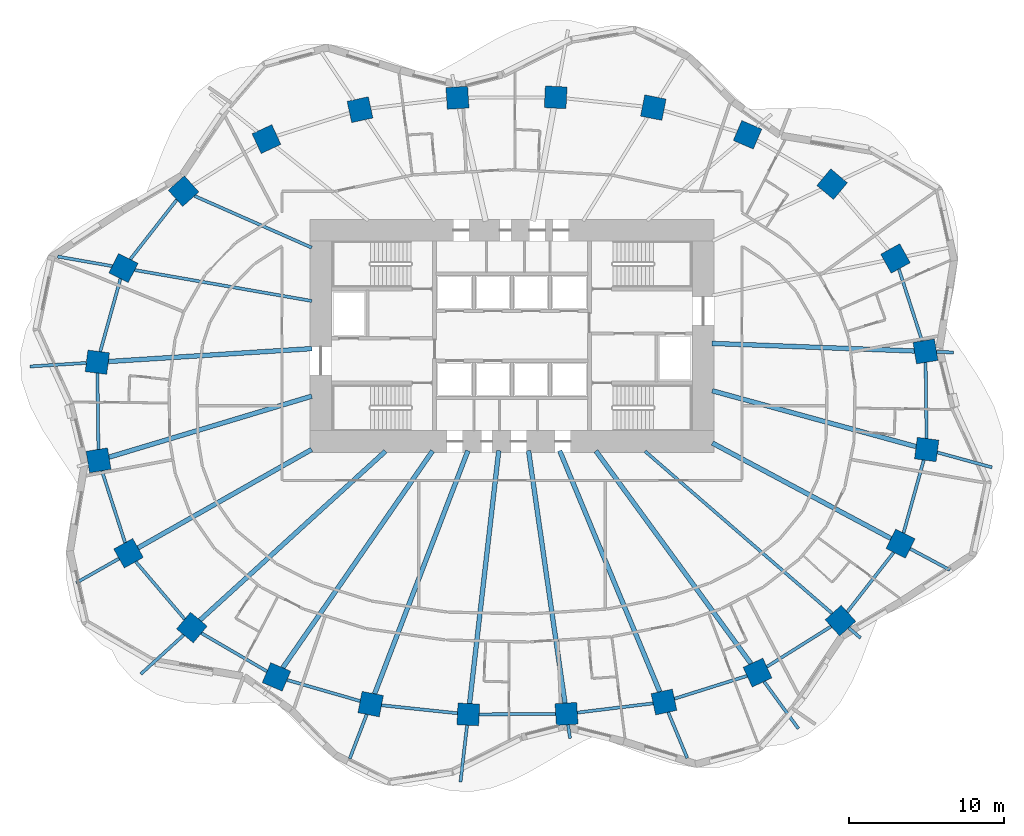
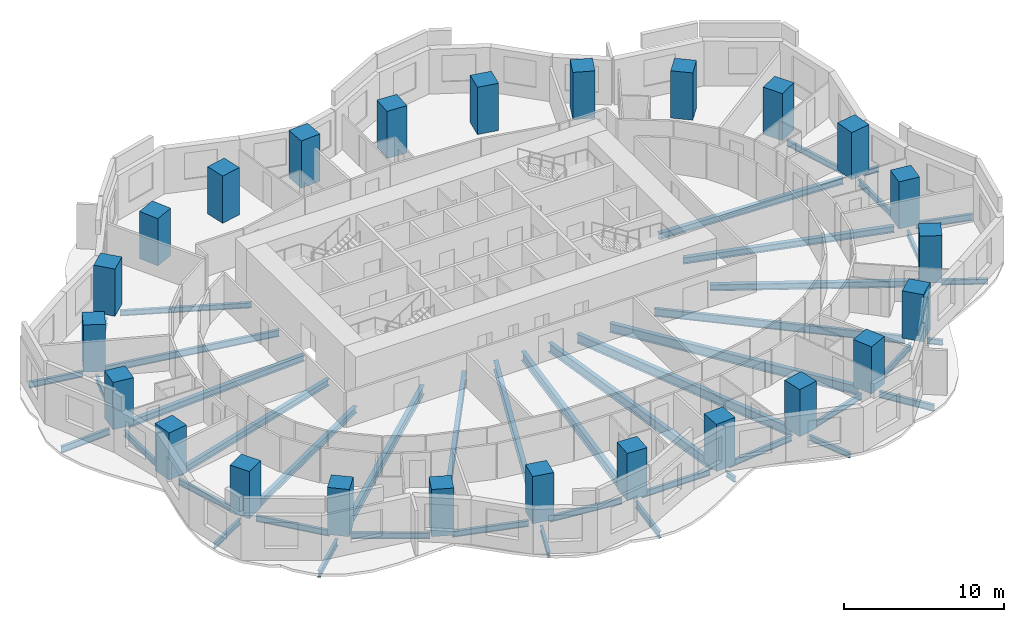
# One storey, part 1 of 11: 45 beams, 24 columns.
"""IFC4 building model written with IfcOpenShell, lengths in metres."""

import ifcopenshell
import ifcopenshell.guid

model = None  # the IFC model being written
_history = None  # IfcOwnerHistory: only IFC2X3 demands one
_inside = {}  # id of a spatial element -> (the spatial element, [elements in it])
_under = {}  # id of a project, library or spatial element -> (it, [spatial elements below it])
_declared = {}  # id of a project -> (the project, [libraries it declares])
_typed = {}  # id of a type object -> (the type object, [elements of that type])
_made_of = {}  # id of a material, layer set ... -> (it, [elements and type objects made of it])


def new_model(schema):
    """Start an empty IFC model of exactly this schema.

    Asked for "IFC4X3", IfcOpenShell would pick the latest addendum, in which some entities
    have other attributes; the version numbers below select the first issue.
    IFC2X3 requires an IfcOwnerHistory on every rooted entity: one is made here for all.
    """
    global model, _history
    if schema == "IFC4X3":
        model = ifcopenshell.file(schema_version=(4, 3, 0, 0))
    else:
        model = ifcopenshell.file(schema=schema)
    _inside.clear()
    _under.clear()
    _declared.clear()
    _typed.clear()
    _made_of.clear()
    _history = None
    if model.schema == "IFC2X3":
        org = make("IfcOrganization", Name="unknown")
        user = make(
            "IfcPersonAndOrganization",
            ThePerson=make("IfcPerson", FamilyName="unknown"),
            TheOrganization=org,
        )
        app = make(
            "IfcApplication",
            ApplicationDeveloper=org,
            Version="unknown",
            ApplicationFullName="unknown",
            ApplicationIdentifier="unknown",
        )
        _history = make(
            "IfcOwnerHistory",
            OwningUser=user,
            OwningApplication=app,
            ChangeAction="ADDED",
            CreationDate=0,
        )
    return model


def make(cls, **values):
    """One entity of the class cls with the attributes given. An attribute that is None is left unset."""
    return model.create_entity(
        cls, **{name: value for name, value in values.items() if value is not None}
    )


def rooted(cls, **values):
    """An entity with a GlobalId (a new one), such as an element, a storey or a relation."""
    return make(cls, GlobalId=ifcopenshell.guid.new(), OwnerHistory=_history, **values)


def si_unit(unit_type, name, prefix=None):
    """IfcSIUnit, for example si_unit("LENGTHUNIT", "METRE", prefix="MILLI")."""
    return make("IfcSIUnit", UnitType=unit_type, Prefix=prefix, Name=name)


def assignment(units):
    """IfcUnitAssignment: the units of a project."""
    return None if units is None else make("IfcUnitAssignment", Units=units)


def point(xyz):
    """IfcCartesianPoint."""
    return None if xyz is None else make("IfcCartesianPoint", Coordinates=xyz)


def direction(xyz):
    """IfcDirection."""
    return None if xyz is None else make("IfcDirection", DirectionRatios=xyz)


def frame(location, z_axis=None, x_axis=None):
    """IfcAxis2Placement3D, a coordinate frame: its origin and axes. An axis left out is left unset."""
    return make(
        "IfcAxis2Placement3D",
        Location=point(location),
        Axis=direction(z_axis),
        RefDirection=direction(x_axis),
    )


def frame_2d(location, x_axis=None):
    """IfcAxis2Placement2D, a coordinate frame in the plane: its origin and x axis."""
    return make(
        "IfcAxis2Placement2D", Location=point(location), RefDirection=direction(x_axis)
    )


def origin():
    """The frame at (0, 0, 0) with its axes left unset."""
    return frame((0.0, 0.0, 0.0))


def origin_2d():
    """The frame at (0, 0) in the plane with its x axis left unset."""
    return frame_2d((0.0, 0.0))


def place(relative_to, where):
    """IfcLocalPlacement: puts the frame where relative to a parent placement (None: the world)."""
    return make(
        "IfcLocalPlacement", PlacementRelTo=relative_to, RelativePlacement=where
    )


def context(
    kind, dimensions, precision=None, world=None, true_north=None, identifier=None
):
    """IfcGeometricRepresentationContext, for example the 3D "Model" context."""
    return make(
        "IfcGeometricRepresentationContext",
        ContextIdentifier=identifier,
        ContextType=kind,
        CoordinateSpaceDimension=dimensions,
        Precision=precision,
        WorldCoordinateSystem=world,
        TrueNorth=true_north,
    )


def subcontext(parent, identifier, kind, view, scale=None):
    """IfcGeometricRepresentationSubContext, for example "Body" below "Model"."""
    return make(
        "IfcGeometricRepresentationSubContext",
        ContextIdentifier=identifier,
        ContextType=kind,
        ParentContext=parent,
        TargetScale=scale,
        TargetView=view,
    )


def project(units=None, contexts=None):
    """IfcProject with its units and contexts."""
    return rooted(
        "IfcProject",
        Name="project",
        RepresentationContexts=contexts,
        UnitsInContext=assignment(units),
    )


def spatial(cls, under=None, at=None, **own):
    """A site, building, storey or space (cls), placed at a placement, below another one or the project."""
    s = rooted(cls, ObjectPlacement=at, **own)
    if under is not None:
        _under.setdefault(under.id(), (under, []))[1].append(s)
    return s


def profile(cls, at=None, kind="AREA", **sizes):
    """A parametric profile (cls). Its sizes go by their IFC names, for example OverallWidth=200.0."""
    return make(cls, ProfileType=kind, Position=at, **sizes)


def rectangle(**sizes):
    """IfcRectangleProfileDef."""
    return profile("IfcRectangleProfileDef", **sizes)


def i_section(**sizes):
    """IfcIShapeProfileDef."""
    return profile("IfcIShapeProfileDef", **sizes)


def extrude(swept, where, along, depth):
    """IfcExtrudedAreaSolid: the profile swept, set in the frame where, extruded along a direction by depth."""
    return make(
        "IfcExtrudedAreaSolid",
        SweptArea=swept,
        Position=where,
        ExtrudedDirection=direction(along),
        Depth=depth,
    )


def shape(context_of_items, identifier, shape_type, items):
    """IfcShapeRepresentation: the items that make up one representation, for example the "Body"."""
    return make(
        "IfcShapeRepresentation",
        ContextOfItems=context_of_items,
        RepresentationIdentifier=identifier,
        RepresentationType=shape_type,
        Items=items,
    )


def material(Name=None, Category=None):
    """IfcMaterial."""
    return make("IfcMaterial", Name=Name, Category=Category)


def material_profile(
    of_material, cross_section, Name=None, Category=None, Priority=None
):
    """IfcMaterialProfile: a cross section and its material."""
    return make(
        "IfcMaterialProfile",
        Name=Name,
        Material=of_material,
        Profile=cross_section,
        Priority=Priority,
        Category=Category,
    )


def profile_set(profiles, Name=None, composite=None):
    """IfcMaterialProfileSet."""
    return make(
        "IfcMaterialProfileSet",
        Name=Name,
        MaterialProfiles=profiles,
        CompositeProfile=composite,
    )


def made_of(thing, what):
    """Note that an element or type object is made of a material, layer set ...; save() writes the relation."""
    if what is not None:
        _made_of.setdefault(what.id(), (what, []))[1].append(thing)
    return thing


def type_object(cls, material=None, **own):
    """A type object (cls), such as IfcWallType, which elements share."""
    return made_of(rooted(cls, **own), material)


def element(
    cls,
    number,
    at=None,
    inside=None,
    cuts=None,
    type_object=None,
    material=None,
    context=None,
    identifier="Body",
    shape_type=None,
    held_by="IfcProductDefinitionShape",
    body=None,
    shapes=None,
    **own,
):
    """One element of the class cls, such as IfcWall. Its Tag is "e" and its number.

    at: its placement. inside: the storey or other place that contains it. cuts: it is an
    opening in that element (IfcRelVoidsElement). A single representation is given by context,
    identifier, shape_type and body (its items); several are given by shapes. held_by: the class
    of the entity that holds the representations. save() writes the other relations.
    """
    e = rooted(cls, Tag="e%d" % number, ObjectPlacement=at, **own)
    if body is not None:
        shapes = [shape(context, identifier, shape_type, body)]
    if shapes is not None:
        e.Representation = make(held_by, Representations=shapes)
    if inside is not None:
        _inside.setdefault(inside.id(), (inside, []))[1].append(e)
    if cuts is not None:
        rooted(
            "IfcRelVoidsElement", RelatingBuildingElement=cuts, RelatedOpeningElement=e
        )
    if type_object is not None:
        _typed.setdefault(type_object.id(), (type_object, []))[1].append(e)
    return made_of(e, material)


def aggregate(whole, parts):
    """IfcRelAggregates: a whole, such as a stair, and the parts it consists of."""
    return rooted("IfcRelAggregates", RelatingObject=whole, RelatedObjects=parts)


def save(model, path):
    """Write the relations noted so far, then the file.

    IfcRelAggregates (storeys below a building ...), IfcRelContainedInSpatialStructure (elements
    in a storey), IfcRelDefinesByType, IfcRelAssociatesMaterial and IfcRelDeclares: one each for
    every whole, place, type object, material and project.
    """
    for whole, parts in _under.values():
        aggregate(whole, parts)
    for where, things in _inside.values():
        rooted(
            "IfcRelContainedInSpatialStructure",
            RelatedElements=things,
            RelatingStructure=where,
        )
    for kind, things in _typed.values():
        rooted("IfcRelDefinesByType", RelatedObjects=things, RelatingType=kind)
    for what, things in _made_of.values():
        rooted("IfcRelAssociatesMaterial", RelatedObjects=things, RelatingMaterial=what)
    for by, libraries in _declared.values():
        rooted("IfcRelDeclares", RelatingContext=by, RelatedDefinitions=libraries)
    model.write(path)


model = new_model("IFC4")

# Units and contexts
model_context = context("Model", 3, precision=1e-05, world=origin(), true_north=direction((0.0, 1.0)))
body_context = subcontext(model_context, "Body", "Model", "MODEL_VIEW")
ifc_project = project(units=[si_unit("LENGTHUNIT", "METRE"), si_unit("AREAUNIT", "SQUARE_METRE"), si_unit("VOLUMEUNIT", "CUBIC_METRE"), si_unit("PLANEANGLEUNIT", "RADIAN"), si_unit("MASSUNIT", "GRAM", prefix="KILO")], contexts=[model_context])

# Site, building, storey
site_placement = place(None, origin())
site = spatial("IfcSite", under=ifc_project, at=site_placement, CompositionType="ELEMENT")
building_placement = place(site_placement, origin())
building = spatial("IfcBuilding", under=site, at=building_placement, Name="Rubra Terraces Tower", CompositionType="ELEMENT")
storey_placement = place(building_placement, frame((0.0, 0.0, 66.300048828125)))
storey = spatial("IfcBuildingStorey", under=building, at=storey_placement, Name="L14", CompositionType="ELEMENT", Elevation=66.300048828125)

# Columns
ifc_material_1 = material(Name="Concrete C60", Category="concrete")
ifc_material_profile_1 = material_profile(ifc_material_1, rectangle(XDim=1.39990234375, YDim=1.39990234375, at=origin_2d()), Name="RC 1400x1400")
ifc_profile_set_1 = profile_set([ifc_material_profile_1], Name="Concrete C60")
column_type = type_object("IfcColumnType", Name="RING COLUMN RC 1400x1400 C60", PredefinedType="COLUMN", material=ifc_profile_set_1)
for number, where, z_axis, x_axis, name in (
    (1, (26.60498046875, 3.5029296875, 0.0), (0.0, 0.0, 1.0), (-0.161234051287, 0.986916197408, 0.0), "column-L14-ring-01"),
    (2, (24.676025390625, 9.48291015625, 0.0), (0.0, 0.0, 1.0), (-0.487226597714, 0.873275582208, 0.0), "column-L14-ring-02"),
    (3, (20.60009765625, 14.26611328125, 0.0), (0.0, 0.0, 1.0), (-0.767209547574, 0.641396531104, 0.0), "column-L14-ring-03"),
    (4, (15.156982421875, 17.44091796875, 0.0), (0.0, 0.0, 1.0), (-0.919293738002, 0.393572132232, 0.0), "column-L14-ring-04"),
    (5, (9.093994140625, 19.19189453125, 0.0), (0.0, 0.0, 1.0), (-0.981430410798, 0.191818530806, 0.0), "column-L14-ring-05"),
    (6, (2.81103515625, 19.85400390625, 0.0), (0.0, 0.0, 1.0), (-0.99874501614, 0.050083857035, 0.0), "column-L14-ring-06"),
    (7, (-3.509033203125, 19.823974609375, 0.0), (0.0, 0.0, 1.0), (-0.9980076013, -0.063093801177, 0.0), "column-L14-ring-07"),
    (8, (-9.780029296875, 19.05810546875, 0.0), (0.0, 0.0, 1.0), (-0.977386186482, -0.211462153764, 0.0), "column-L14-ring-08"),
    (9, (-15.799072265625, 17.1650390625, 0.0), (0.0, 0.0, 1.0), (-0.907952363445, -0.419073389413, 0.0), "column-L14-ring-09"),
    (10, (-21.135009765625, 13.81689453125, 0.0), (0.0, 0.0, 1.0), (-0.742675944539, -0.66965098477, 0.0), "column-L14-ring-10"),
    (11, (-25.0029296875, 8.865966796875, 0.0), (0.0, 0.0, 1.0), (-0.450098906028, -0.892978709036, 0.0), "column-L14-ring-11"),
    (12, (-26.68408203125, 2.80810546875, 0.0), (0.0, 0.0, 1.0), (-0.128444510405, -0.991716697322, 0.0), "column-L14-ring-12"),
    (13, (-26.60498046875, -3.5029296875, 0.0), (0.0, 0.0, 1.0), (0.161234051287, -0.986916197408, 0.0), "column-L14-ring-13"),
    (14, (-24.676025390625, -9.48291015625, 0.0), (0.0, 0.0, 1.0), (0.487226597714, -0.873275582208, 0.0), "column-L14-ring-14"),
    (15, (-20.60009765625, -14.26611328125, 0.0), (0.0, 0.0, 1.0), (0.767209547574, -0.641396531104, 0.0), "column-L14-ring-15"),
    (16, (-15.156982421875, -17.44091796875, 0.0), (0.0, 0.0, 1.0), (0.919293738002, -0.393572132232, 0.0), "column-L14-ring-16"),
    (17, (-9.093994140625, -19.19189453125, 0.0), (0.0, 0.0, 1.0), (0.981430410798, -0.191818530806, 0.0), "column-L14-ring-17"),
    (18, (-2.81103515625, -19.85400390625, 0.0), (0.0, 0.0, 1.0), (0.99874501614, -0.050083857035, 0.0), "column-L14-ring-18"),
    (19, (3.509033203125, -19.823974609375, 0.0), (0.0, 0.0, 1.0), (0.9980076013, 0.063093801177, 0.0), "column-L14-ring-19"),
    (20, (9.780029296875, -19.05810546875, 0.0), (0.0, 0.0, 1.0), (0.977386186482, 0.211462153764, 0.0), "column-L14-ring-20"),
    (21, (15.799072265625, -17.1650390625, 0.0), (0.0, 0.0, 1.0), (0.907952363445, 0.419073389413, 0.0), "column-L14-ring-21"),
    (22, (21.135009765625, -13.81689453125, 0.0), (0.0, 0.0, 1.0), (0.742675944539, 0.66965098477, 0.0), "column-L14-ring-22"),
    (23, (25.0029296875, -8.865966796875, 0.0), (0.0, 0.0, 1.0), (0.450098906028, 0.892978709036, 0.0), "column-L14-ring-23"),
    (24, (26.68408203125, -2.80810546875, 0.0), (0.0, 0.0, 1.0), (0.128444510405, 0.991716697322, 0.0), "column-L14-ring-24"),
):
    element("IfcColumn", number, at=place(storey_placement, frame(where, z_axis=z_axis, x_axis=x_axis)), inside=storey, type_object=column_type, Name=name, PredefinedType="COLUMN", context=body_context, shape_type="SweptSolid", body=[
        extrude(rectangle(XDim=1.39990234375, YDim=1.39990234375, at=origin_2d()), origin(), (0.0, 0.0, 1.0), 3.599853515625),
    ])

# Beams
ifc_material_2 = material(Name="Steel Q355B", Category="steel")
ifc_material_profile_2 = material_profile(ifc_material_2, i_section(OverallWidth=0.199951171875, OverallDepth=0.39990234375, WebThickness=0.008056640625, FlangeThickness=0.012939453125, at=origin_2d()), Name="HN 400x200x8x13")
ifc_profile_set_2 = profile_set([ifc_material_profile_2], Name="Steel Q355B")
beam_type_1 = type_object("IfcBeamType", Name="CANTILEVER BEAM HN 400x200x8x13", PredefinedType="BEAM", material=ifc_profile_set_2)
beam_1_placement = place(storey_placement, frame((-25.284912109375, -9.827880859375, -0.400146484375), z_axis=(-0.870051904973, -0.492960122781, 0.0), x_axis=(0.492960122781, -0.870051904973, 0.0)))
element("IfcBeam", 25, at=beam_1_placement, inside=storey, type_object=beam_type_1, Name="beam-L14-cant-14", PredefinedType="BEAM", context=body_context, shape_type="SweptSolid", body=[
    extrude(i_section(OverallWidth=0.199951171875, OverallDepth=0.39990234375, WebThickness=0.008056640625, FlangeThickness=0.012939453125, at=origin_2d()), origin(), (0.0, 0.0, 1.0), 3.171142578125),
])
beam_2_placement = place(storey_placement, frame((-9.34912109375, -19.85498046875, -0.400146484375), z_axis=(-0.358245016748, -0.933627606691, 0.0), x_axis=(0.933627606691, -0.358245016748, 0.0)))
element("IfcBeam", 26, at=beam_2_placement, inside=storey, type_object=beam_type_1, Name="beam-L14-cant-17", PredefinedType="BEAM", context=body_context, shape_type="SweptSolid", body=[
    extrude(i_section(OverallWidth=0.199951171875, OverallDepth=0.39990234375, WebThickness=0.008056640625, FlangeThickness=0.012939453125, at=origin_2d()), origin(), (0.0, 0.0, 1.0), 3.0537109375),
])
beam_3_placement = place(storey_placement, frame((10.052978515625, -19.715087890625, -0.400146484375), z_axis=(0.383471071133, -0.923552888363, 0.0), x_axis=(0.923552888363, 0.383471071133, 0.0)))
element("IfcBeam", 27, at=beam_3_placement, inside=storey, type_object=beam_type_1, Name="beam-L14-cant-20", PredefinedType="BEAM", context=body_context, shape_type="SweptSolid", body=[
    extrude(i_section(OverallWidth=0.199951171875, OverallDepth=0.39990234375, WebThickness=0.008056640625, FlangeThickness=0.012939453125, at=origin_2d()), origin(), (0.0, 0.0, 1.0), 3.197265625),
])
beam_4_placement = place(storey_placement, frame((25.62109375, -9.196044921875, -0.400146484375), z_axis=(0.881874281334, -0.471484625329, 0.0), x_axis=(0.471484625329, 0.881874281334, 0.0)))
element("IfcBeam", 28, at=beam_4_placement, inside=storey, type_object=beam_type_1, Name="beam-L14-cant-23", PredefinedType="BEAM", context=body_context, shape_type="SweptSolid", body=[
    extrude(i_section(OverallWidth=0.199951171875, OverallDepth=0.39990234375, WebThickness=0.008056640625, FlangeThickness=0.012939453125, at=origin_2d()), origin(), (0.0, 0.0, 1.0), 2.897216796875),
])
ifc_material_profile_3 = material_profile(ifc_material_2, i_section(OverallWidth=0.198974609375, OverallDepth=0.446044921875, WebThickness=0.008056640625, FlangeThickness=0.011962890625, at=origin_2d()), Name="HN 446x199x8x12")
ifc_profile_set_3 = profile_set([ifc_material_profile_3], Name="Steel Q355B")
beam_type_2 = type_object("IfcBeamType", Name="CANTILEVER BEAM HN 446x199x8x12", PredefinedType="BEAM", material=ifc_profile_set_3)
beam_5_placement = place(storey_placement, frame((-25.722900390625, 8.991943359375, -0.423095703125), z_axis=(-0.98512271321, 0.171852378274, 0.0), x_axis=(-0.171852378274, -0.98512271321, 0.0)))
element("IfcBeam", 29, at=beam_5_placement, inside=storey, type_object=beam_type_2, Name="beam-L14-cant-11", PredefinedType="BEAM", context=body_context, shape_type="SweptSolid", body=[
    extrude(i_section(OverallWidth=0.198974609375, OverallDepth=0.446044921875, WebThickness=0.008056640625, FlangeThickness=0.011962890625, at=origin_2d()), origin(), (0.0, 0.0, 1.0), 3.567138671875),
])
ifc_material_profile_4 = material_profile(ifc_material_2, i_section(OverallWidth=0.198974609375, OverallDepth=0.49609375, WebThickness=0.009033203125, FlangeThickness=0.013916015625, at=origin_2d()), Name="HN 496x199x9x14")
ifc_profile_set_4 = profile_set([ifc_material_profile_4], Name="Steel Q355B")
beam_type_3 = type_object("IfcBeamType", Name="CANTILEVER BEAM HN 496x199x9x14", PredefinedType="BEAM", material=ifc_profile_set_4)
beam_6_placement = place(storey_placement, frame((-27.39599609375, 2.762939453125, -0.447998046875), z_axis=(-0.997998430051, -0.063238703465, 0.0), x_axis=(0.063238703465, -0.997998430051, 0.0)))
element("IfcBeam", 30, at=beam_6_placement, inside=storey, type_object=beam_type_3, Name="beam-L14-cant-12", PredefinedType="BEAM", context=body_context, shape_type="SweptSolid", body=[
    extrude(i_section(OverallWidth=0.198974609375, OverallDepth=0.49609375, WebThickness=0.009033203125, FlangeThickness=0.013916015625, at=origin_2d()), origin(), (0.0, 0.0, 1.0), 3.621337890625),
])
beam_7_placement = place(storey_placement, frame((-21.1220703125, -14.741943359375, -0.447998046875), z_axis=(-0.739230300797, -0.673452717259, 0.0), x_axis=(0.673452717259, -0.739230300797, 0.0)))
element("IfcBeam", 31, at=beam_7_placement, inside=storey, type_object=beam_type_3, Name="beam-L14-cant-15", PredefinedType="BEAM", context=body_context, shape_type="SweptSolid", body=[
    extrude(i_section(OverallWidth=0.198974609375, OverallDepth=0.49609375, WebThickness=0.009033203125, FlangeThickness=0.013916015625, at=origin_2d()), origin(), (0.0, 0.0, 1.0), 3.737548828125),
])
beam_8_placement = place(storey_placement, frame((-2.89111328125, -20.551025390625, -0.447998046875), z_axis=(-0.114760227617, -0.99339322031, 0.0), x_axis=(0.99339322031, -0.114760227617, 0.0)))
element("IfcBeam", 32, at=beam_8_placement, inside=storey, type_object=beam_type_3, Name="beam-L14-cant-18", PredefinedType="BEAM", context=body_context, shape_type="SweptSolid", body=[
    extrude(i_section(OverallWidth=0.198974609375, OverallDepth=0.49609375, WebThickness=0.009033203125, FlangeThickness=0.013916015625, at=origin_2d()), origin(), (0.0, 0.0, 1.0), 3.676025390625),
])
beam_9_placement = place(storey_placement, frame((16.219970703125, -17.741943359375, -0.447998046875), z_axis=(0.589270437055, -0.807935858848, 0.0), x_axis=(0.807935858848, 0.589270437055, 0.0)))
element("IfcBeam", 33, at=beam_9_placement, inside=storey, type_object=beam_type_3, Name="beam-L14-cant-21", PredefinedType="BEAM", context=body_context, shape_type="SweptSolid", body=[
    extrude(i_section(OverallWidth=0.198974609375, OverallDepth=0.49609375, WebThickness=0.009033203125, FlangeThickness=0.013916015625, at=origin_2d()), origin(), (0.0, 0.0, 1.0), 3.750244140625),
])
beam_10_placement = place(storey_placement, frame((27.365966796875, -2.9951171875, -0.447998046875), z_axis=(0.964494708629, -0.264102171568, 0.0), x_axis=(0.264102171568, 0.964494708629, 0.0)))
element("IfcBeam", 34, at=beam_10_placement, inside=storey, type_object=beam_type_3, Name="beam-L14-cant-24", PredefinedType="BEAM", context=body_context, shape_type="SweptSolid", body=[
    extrude(i_section(OverallWidth=0.198974609375, OverallDepth=0.49609375, WebThickness=0.009033203125, FlangeThickness=0.013916015625, at=origin_2d()), origin(), (0.0, 0.0, 1.0), 3.649658203125),
])
ifc_material_profile_5 = material_profile(ifc_material_2, i_section(OverallWidth=0.199951171875, OverallDepth=0.39990234375, WebThickness=0.008056640625, FlangeThickness=0.012939453125, at=origin_2d()), Name="HN 400x200x8x13")
ifc_profile_set_5 = profile_set([ifc_material_profile_5], Name="Steel Q355B")
beam_type_4 = type_object("IfcBeamType", Name="CANTILEVER STUB HN 400x200x8x13", PredefinedType="BEAM", material=ifc_profile_set_5)
beam_11_placement = place(storey_placement, frame((27.319091796875, 3.47607421875, -0.400146484375), z_axis=(0.999310797049, -0.037120491668, 0.0), x_axis=(0.037120491668, 0.999310797049, 0.0)))
element("IfcBeam", 35, at=beam_11_placement, inside=storey, type_object=beam_type_4, Name="beam-L14-cant-01", PredefinedType="BEAM", context=body_context, shape_type="SweptSolid", body=[
    extrude(i_section(OverallWidth=0.199951171875, OverallDepth=0.39990234375, WebThickness=0.008056640625, FlangeThickness=0.012939453125, at=origin_2d()), origin(), (0.0, 0.0, 1.0), 1.07861328125),
])
beam_12_placement = place(storey_placement, frame((3.60888671875, -20.51904296875, -0.400146484375), z_axis=(0.143074340479, -0.989711944505, 0.0), x_axis=(0.989711944505, 0.143074340479, 0.0)))
element("IfcBeam", 36, at=beam_12_placement, inside=storey, type_object=beam_type_4, Name="beam-L14-cant-19", PredefinedType="BEAM", context=body_context, shape_type="SweptSolid", body=[
    extrude(i_section(OverallWidth=0.199951171875, OverallDepth=0.39990234375, WebThickness=0.008056640625, FlangeThickness=0.012939453125, at=origin_2d()), origin(), (0.0, 0.0, 1.0), 0.888916015625),
])
beam_13_placement = place(storey_placement, frame((21.66796875, -14.279052734375, -0.400146484375), z_axis=(0.755624925322, -0.65500455894, 0.0), x_axis=(0.65500455894, 0.755624925322, 0.0)))
element("IfcBeam", 37, at=beam_13_placement, inside=storey, type_object=beam_type_4, Name="beam-L14-cant-22", PredefinedType="BEAM", context=body_context, shape_type="SweptSolid", body=[
    extrude(i_section(OverallWidth=0.199951171875, OverallDepth=0.39990234375, WebThickness=0.008056640625, FlangeThickness=0.012939453125, at=origin_2d()), origin(), (0.0, 0.0, 1.0), 1.00439453125),
])
ifc_material_profile_6 = material_profile(ifc_material_2, i_section(OverallWidth=0.300048828125, OverallDepth=0.48193359375, WebThickness=0.010986328125, FlangeThickness=0.014892578125, at=origin_2d()), Name="HM 482x300x11x15")
ifc_profile_set_6 = profile_set([ifc_material_profile_6], Name="Steel Q355B")
beam_type_5 = type_object("IfcBeamType", Name="FLOOR BEAM HM 482x300x11x15", PredefinedType="BEAM", material=ifc_profile_set_6)
beam_14_placement = place(storey_placement, frame((25.89111328125, 3.530029296875, -0.441162109375), z_axis=(-0.999300088658, 0.037407657088, 0.0), x_axis=(-0.037407657088, -0.999300088658, 0.0)))
element("IfcBeam", 38, at=beam_14_placement, inside=storey, type_object=beam_type_5, Name="beam-L14-floor-01", PredefinedType="BEAM", context=body_context, shape_type="SweptSolid", body=[
    extrude(i_section(OverallWidth=0.300048828125, OverallDepth=0.48193359375, WebThickness=0.010986328125, FlangeThickness=0.014892578125, at=origin_2d()), origin(), (0.0, 0.0, 1.0), 13.020263671875),
])
beam_15_placement = place(storey_placement, frame((-25.971923828125, 2.85302734375, -0.441162109375), z_axis=(0.997996052936, 0.06327620662, 0.0), x_axis=(-0.06327620662, 0.997996052936, 0.0)))
element("IfcBeam", 39, at=beam_15_placement, inside=storey, type_object=beam_type_5, Name="beam-L14-floor-12", PredefinedType="BEAM", context=body_context, shape_type="SweptSolid", body=[
    extrude(i_section(OverallWidth=0.300048828125, OverallDepth=0.48193359375, WebThickness=0.010986328125, FlangeThickness=0.014892578125, at=origin_2d()), origin(), (0.0, 0.0, 1.0), 13.118408203125),
])
beam_16_placement = place(storey_placement, frame((-25.928955078125, -3.300048828125, -0.441162109375), z_axis=(0.957605991861, 0.288081176671, 0.0), x_axis=(-0.288081176671, 0.957605991861, 0.0)))
element("IfcBeam", 40, at=beam_16_placement, inside=storey, type_object=beam_type_5, Name="beam-L14-floor-13", PredefinedType="BEAM", context=body_context, shape_type="SweptSolid", body=[
    extrude(i_section(OverallWidth=0.300048828125, OverallDepth=0.48193359375, WebThickness=0.010986328125, FlangeThickness=0.014892578125, at=origin_2d()), origin(), (0.0, 0.0, 1.0), 13.621337890625),
])
beam_17_placement = place(storey_placement, frame((-24.06689453125, -9.137939453125, -0.441162109375), z_axis=(0.869992824144, 0.493064383157, 0.0), x_axis=(-0.493064383157, 0.869992824144, 0.0)))
element("IfcBeam", 41, at=beam_17_placement, inside=storey, type_object=beam_type_5, Name="beam-L14-floor-14", PredefinedType="BEAM", context=body_context, shape_type="SweptSolid", body=[
    extrude(i_section(OverallWidth=0.300048828125, OverallDepth=0.48193359375, WebThickness=0.010986328125, FlangeThickness=0.014892578125, at=origin_2d()), origin(), (0.0, 0.0, 1.0), 12.84033203125),
])
beam_18_placement = place(storey_placement, frame((24.385009765625, -8.535888671875, -0.441162109375), z_axis=(-0.881896613876, 0.471442851716, 0.0), x_axis=(-0.471442851716, -0.881896613876, 0.0)))
element("IfcBeam", 42, at=beam_18_placement, inside=storey, type_object=beam_type_5, Name="beam-L14-floor-23", PredefinedType="BEAM", context=body_context, shape_type="SweptSolid", body=[
    extrude(i_section(OverallWidth=0.300048828125, OverallDepth=0.48193359375, WebThickness=0.010986328125, FlangeThickness=0.014892578125, at=origin_2d()), origin(), (0.0, 0.0, 1.0), 13.02978515625),
])
beam_19_placement = place(storey_placement, frame((26.001953125, -2.62109375, -0.441162109375), z_axis=(-0.964494059772, 0.264104541167, 0.0), x_axis=(-0.264104541167, -0.964494059772, 0.0)))
element("IfcBeam", 43, at=beam_19_placement, inside=storey, type_object=beam_type_5, Name="beam-L14-floor-24", PredefinedType="BEAM", context=body_context, shape_type="SweptSolid", body=[
    extrude(i_section(OverallWidth=0.300048828125, OverallDepth=0.48193359375, WebThickness=0.010986328125, FlangeThickness=0.014892578125, at=origin_2d()), origin(), (0.0, 0.0, 1.0), 13.600830078125),
])
ifc_material_profile_7 = material_profile(ifc_material_2, i_section(OverallWidth=0.199951171875, OverallDepth=0.39990234375, WebThickness=0.008056640625, FlangeThickness=0.012939453125, at=origin_2d()), Name="HN 400x200x8x13")
ifc_profile_set_7 = profile_set([ifc_material_profile_7], Name="Steel Q355B")
beam_type_6 = type_object("IfcBeamType", Name="FLOOR BEAM HN 400x200x8x13", PredefinedType="BEAM", material=ifc_profile_set_7)
beam_20_placement = place(storey_placement, frame((-20.43310546875, 13.508056640625, -0.400146484375), z_axis=(0.914994662209, -0.4034659442, 0.0), x_axis=(0.4034659442, 0.914994662209, 0.0)))
element("IfcBeam", 44, at=beam_20_placement, inside=storey, type_object=beam_type_6, Name="beam-L14-floor-10", PredefinedType="BEAM", context=body_context, shape_type="SweptSolid", body=[
    extrude(i_section(OverallWidth=0.199951171875, OverallDepth=0.39990234375, WebThickness=0.008056640625, FlangeThickness=0.012939453125, at=origin_2d()), origin(), (0.0, 0.0, 1.0), 8.243896484375),
])
ifc_material_profile_8 = material_profile(ifc_material_2, i_section(OverallWidth=0.198974609375, OverallDepth=0.49609375, WebThickness=0.009033203125, FlangeThickness=0.013916015625, at=origin_2d()), Name="HN 496x199x9x14")
ifc_profile_set_8 = profile_set([ifc_material_profile_8], Name="Steel Q355B")
beam_type_7 = type_object("IfcBeamType", Name="FLOOR BEAM HN 496x199x9x14", PredefinedType="BEAM", material=ifc_profile_set_8)
beam_21_placement = place(storey_placement, frame((-24.282958984375, 8.739990234375, -0.447998046875), z_axis=(0.985091834527, -0.172029292701, 0.0), x_axis=(0.172029292701, 0.985091834527, 0.0)))
element("IfcBeam", 45, at=beam_21_placement, inside=storey, type_object=beam_type_7, Name="beam-L14-floor-11", PredefinedType="BEAM", context=body_context, shape_type="SweptSolid", body=[
    extrude(i_section(OverallWidth=0.198974609375, OverallDepth=0.49609375, WebThickness=0.009033203125, FlangeThickness=0.013916015625, at=origin_2d()), origin(), (0.0, 0.0, 1.0), 11.573486328125),
])
ifc_material_profile_9 = material_profile(ifc_material_2, i_section(OverallWidth=0.198974609375, OverallDepth=0.595947265625, WebThickness=0.010009765625, FlangeThickness=0.014892578125, at=origin_2d()), Name="HN 596x199x10x15")
ifc_profile_set_9 = profile_set([ifc_material_profile_9], Name="Steel Q355B")
beam_type_8 = type_object("IfcBeamType", Name="FLOOR BEAM HN 596x199x10x15", PredefinedType="BEAM", material=ifc_profile_set_9)
beam_22_placement = place(storey_placement, frame((20.60205078125, -13.35498046875, -0.498046875), z_axis=(-0.755682003913, 0.654938706263, 0.0), x_axis=(-0.654938706263, -0.755682003913, 0.0)))
element("IfcBeam", 46, at=beam_22_placement, inside=storey, type_object=beam_type_8, Name="beam-L14-floor-22", PredefinedType="BEAM", context=body_context, shape_type="SweptSolid", body=[
    extrude(i_section(OverallWidth=0.198974609375, OverallDepth=0.595947265625, WebThickness=0.010009765625, FlangeThickness=0.014892578125, at=origin_2d()), origin(), (0.0, 0.0, 1.0), 15.931396484375),
])
ifc_material_profile_10 = material_profile(ifc_material_2, i_section(OverallWidth=0.300048828125, OverallDepth=0.699951171875, WebThickness=0.012939453125, FlangeThickness=0.02392578125, at=origin_2d()), Name="HN 700x300x13x24")
ifc_profile_set_10 = profile_set([ifc_material_profile_10], Name="Steel Q355B")
beam_type_9 = type_object("IfcBeamType", Name="FLOOR BEAM HN 700x300x13x24", PredefinedType="BEAM", material=ifc_profile_set_10)
beam_23_placement = place(storey_placement, frame((-20.077880859375, -13.7900390625, -0.550048828125), z_axis=(0.739256734846, 0.673423700195, 0.0), x_axis=(-0.673423700195, 0.739256734846, 0.0)))
element("IfcBeam", 47, at=beam_23_placement, inside=storey, type_object=beam_type_9, Name="beam-L14-floor-15", PredefinedType="BEAM", context=body_context, shape_type="SweptSolid", body=[
    extrude(i_section(OverallWidth=0.300048828125, OverallDepth=0.699951171875, WebThickness=0.012939453125, FlangeThickness=0.02392578125, at=origin_2d()), origin(), (0.0, 0.0, 1.0), 16.14306640625),
])
beam_24_placement = place(storey_placement, frame((-14.7509765625, -16.85302734375, -0.550048828125), z_axis=(0.568362941886, 0.822777956858, 0.0), x_axis=(-0.822777956858, 0.568362941886, 0.0)))
element("IfcBeam", 48, at=beam_24_placement, inside=storey, type_object=beam_type_9, Name="beam-L14-floor-16", PredefinedType="BEAM", context=body_context, shape_type="SweptSolid", body=[
    extrude(i_section(OverallWidth=0.300048828125, OverallDepth=0.699951171875, WebThickness=0.012939453125, FlangeThickness=0.02392578125, at=origin_2d()), origin(), (0.0, 0.0, 1.0), 16.957275390625),
])
beam_25_placement = place(storey_placement, frame((-8.839111328125, -18.529052734375, -0.550048828125), z_axis=(0.358321803184, 0.933598139117, 0.0), x_axis=(-0.933598139117, 0.358321803184, 0.0)))
element("IfcBeam", 49, at=beam_25_placement, inside=storey, type_object=beam_type_9, Name="beam-L14-floor-17", PredefinedType="BEAM", context=body_context, shape_type="SweptSolid", body=[
    extrude(i_section(OverallWidth=0.300048828125, OverallDepth=0.699951171875, WebThickness=0.012939453125, FlangeThickness=0.02392578125, at=origin_2d()), origin(), (0.0, 0.0, 1.0), 16.753662109375),
])
beam_26_placement = place(storey_placement, frame((-2.73095703125, -19.156982421875, -0.550048828125), z_axis=(0.114679535872, 0.993402538779, 0.0), x_axis=(-0.993402538779, 0.114679535872, 0.0)))
element("IfcBeam", 50, at=beam_26_placement, inside=storey, type_object=beam_type_9, Name="beam-L14-floor-18", PredefinedType="BEAM", context=body_context, shape_type="SweptSolid", body=[
    extrude(i_section(OverallWidth=0.300048828125, OverallDepth=0.699951171875, WebThickness=0.012939453125, FlangeThickness=0.02392578125, at=origin_2d()), origin(), (0.0, 0.0, 1.0), 16.384033203125),
])
beam_27_placement = place(storey_placement, frame((3.408935546875, -19.12890625, -0.550048828125), z_axis=(-0.142787075711, 0.9897534294, 0.0), x_axis=(-0.9897534294, -0.142787075711, 0.0)))
element("IfcBeam", 51, at=beam_27_placement, inside=storey, type_object=beam_type_9, Name="beam-L14-floor-19", PredefinedType="BEAM", context=body_context, shape_type="SweptSolid", body=[
    extrude(i_section(OverallWidth=0.300048828125, OverallDepth=0.699951171875, WebThickness=0.012939453125, FlangeThickness=0.02392578125, at=origin_2d()), origin(), (0.0, 0.0, 1.0), 16.416015625),
])
beam_28_placement = place(storey_placement, frame((9.507080078125, -18.40087890625, -0.550048828125), z_axis=(-0.383379543301, 0.923590886582, 0.0), x_axis=(-0.923590886582, -0.383379543301, 0.0)))
element("IfcBeam", 52, at=beam_28_placement, inside=storey, type_object=beam_type_9, Name="beam-L14-floor-20", PredefinedType="BEAM", context=body_context, shape_type="SweptSolid", body=[
    extrude(i_section(OverallWidth=0.300048828125, OverallDepth=0.699951171875, WebThickness=0.012939453125, FlangeThickness=0.02392578125, at=origin_2d()), origin(), (0.0, 0.0, 1.0), 16.795166015625),
])
beam_29_placement = place(storey_placement, frame((15.3779296875, -16.587890625, -0.550048828125), z_axis=(-0.58919117553, 0.807993662523, 0.0), x_axis=(-0.807993662523, -0.58919117553, 0.0)))
element("IfcBeam", 53, at=beam_29_placement, inside=storey, type_object=beam_type_9, Name="beam-L14-floor-21", PredefinedType="BEAM", context=body_context, shape_type="SweptSolid", body=[
    extrude(i_section(OverallWidth=0.300048828125, OverallDepth=0.699951171875, WebThickness=0.012939453125, FlangeThickness=0.02392578125, at=origin_2d()), origin(), (0.0, 0.0, 1.0), 16.936767578125),
])
ifc_material_profile_11 = material_profile(ifc_material_2, i_section(OverallWidth=0.198974609375, OverallDepth=0.446044921875, WebThickness=0.008056640625, FlangeThickness=0.011962890625, at=origin_2d()), Name="HN 446x199x8x12")
ifc_profile_set_11 = profile_set([ifc_material_profile_11], Name="Steel Q355B")
beam_type_10 = type_object("IfcBeamType", Name="SPANDREL BEAM HN 446x199x8x12", PredefinedType="SPANDREL", material=ifc_profile_set_11)
beam_30_placement = place(storey_placement, frame((26.387939453125, 4.177001953125, -0.423095703125), z_axis=(-0.30706880261, 0.951687317591, 0.0), x_axis=(-0.951687317591, -0.30706880261, 0.0)))
element("IfcBeam", 54, at=beam_30_placement, inside=storey, type_object=beam_type_10, Name="beam-L14-spandrel-01", PredefinedType="SPANDREL", context=body_context, shape_type="SweptSolid", body=[
    extrude(i_section(OverallWidth=0.198974609375, OverallDepth=0.446044921875, WebThickness=0.008056640625, FlangeThickness=0.011962890625, at=origin_2d()), origin(), (0.0, 0.0, 1.0), 4.86181640625),
])
beam_31_placement = place(storey_placement, frame((-21.572998046875, 13.257080078125, -0.423095703125), z_axis=(-0.615577734286, -0.788076172112, 0.0), x_axis=(0.788076172112, -0.615577734286, 0.0)))
element("IfcBeam", 55, at=beam_31_placement, inside=storey, type_object=beam_type_10, Name="beam-L14-spandrel-10", PredefinedType="SPANDREL", context=body_context, shape_type="SweptSolid", body=[
    extrude(i_section(OverallWidth=0.198974609375, OverallDepth=0.446044921875, WebThickness=0.008056640625, FlangeThickness=0.011962890625, at=origin_2d()), origin(), (0.0, 0.0, 1.0), 4.85888671875),
])
beam_32_placement = place(storey_placement, frame((-25.194091796875, 8.177978515625, -0.423095703125), z_axis=(-0.267364386726, -0.96359549849, 0.0), x_axis=(0.96359549849, -0.267364386726, 0.0)))
element("IfcBeam", 56, at=beam_32_placement, inside=storey, type_object=beam_type_10, Name="beam-L14-spandrel-11", PredefinedType="SPANDREL", context=body_context, shape_type="SweptSolid", body=[
    extrude(i_section(OverallWidth=0.198974609375, OverallDepth=0.446044921875, WebThickness=0.008056640625, FlangeThickness=0.011962890625, at=origin_2d()), origin(), (0.0, 0.0, 1.0), 4.8662109375),
])
beam_33_placement = place(storey_placement, frame((-26.675048828125, 2.10107421875, -0.423095703125), z_axis=(0.012465372298, -0.999922304228, 0.0), x_axis=(0.999922304228, 0.012465372298, 0.0)))
element("IfcBeam", 57, at=beam_33_placement, inside=storey, type_object=beam_type_10, Name="beam-L14-spandrel-12", PredefinedType="SPANDREL", context=body_context, shape_type="SweptSolid", body=[
    extrude(i_section(OverallWidth=0.198974609375, OverallDepth=0.446044921875, WebThickness=0.008056640625, FlangeThickness=0.011962890625, at=origin_2d()), origin(), (0.0, 0.0, 1.0), 4.896484375),
])
beam_34_placement = place(storey_placement, frame((-26.387939453125, -4.177001953125, -0.423095703125), z_axis=(0.30706880261, -0.951687317591, 0.0), x_axis=(0.951687317591, 0.30706880261, 0.0)))
element("IfcBeam", 58, at=beam_34_placement, inside=storey, type_object=beam_type_10, Name="beam-L14-spandrel-13", PredefinedType="SPANDREL", context=body_context, shape_type="SweptSolid", body=[
    extrude(i_section(OverallWidth=0.198974609375, OverallDepth=0.446044921875, WebThickness=0.008056640625, FlangeThickness=0.011962890625, at=origin_2d()), origin(), (0.0, 0.0, 1.0), 4.86181640625),
])
beam_35_placement = place(storey_placement, frame((-24.212890625, -10.02587890625, -0.423095703125), z_axis=(0.648447050824, -0.761259760054, 0.0), x_axis=(0.761259760054, 0.648447050824, 0.0)))
element("IfcBeam", 59, at=beam_35_placement, inside=storey, type_object=beam_type_10, Name="beam-L14-spandrel-14", PredefinedType="SPANDREL", context=body_context, shape_type="SweptSolid", body=[
    extrude(i_section(OverallWidth=0.198974609375, OverallDepth=0.446044921875, WebThickness=0.008056640625, FlangeThickness=0.011962890625, at=origin_2d()), origin(), (0.0, 0.0, 1.0), 4.860595703125),
])
beam_36_placement = place(storey_placement, frame((-19.987060546875, -14.6240234375, -0.423095703125), z_axis=(0.863806081452, -0.503824427402, 0.0), x_axis=(0.503824427402, 0.863806081452, 0.0)))
element("IfcBeam", 60, at=beam_36_placement, inside=storey, type_object=beam_type_10, Name="beam-L14-spandrel-15", PredefinedType="SPANDREL", context=body_context, shape_type="SweptSolid", body=[
    extrude(i_section(OverallWidth=0.198974609375, OverallDepth=0.446044921875, WebThickness=0.008056640625, FlangeThickness=0.011962890625, at=origin_2d()), origin(), (0.0, 0.0, 1.0), 4.886474609375),
])
beam_37_placement = place(storey_placement, frame((-14.47900390625, -17.636962890625, -0.423095703125), z_axis=(0.960743980202, -0.277436487337, 0.0), x_axis=(0.277436487337, 0.960743980202, 0.0)))
element("IfcBeam", 61, at=beam_37_placement, inside=storey, type_object=beam_type_10, Name="beam-L14-spandrel-16", PredefinedType="SPANDREL", context=body_context, shape_type="SweptSolid", body=[
    extrude(i_section(OverallWidth=0.198974609375, OverallDepth=0.446044921875, WebThickness=0.008056640625, FlangeThickness=0.011962890625, at=origin_2d()), origin(), (0.0, 0.0, 1.0), 4.90234375),
])
beam_38_placement = place(storey_placement, frame((-8.39501953125, -19.26611328125, -0.423095703125), z_axis=(0.994495375694, -0.104780473964, 0.0), x_axis=(0.104780473964, 0.994495375694, 0.0)))
element("IfcBeam", 62, at=beam_38_placement, inside=storey, type_object=beam_type_10, Name="beam-L14-spandrel-17", PredefinedType="SPANDREL", context=body_context, shape_type="SweptSolid", body=[
    extrude(i_section(OverallWidth=0.198974609375, OverallDepth=0.446044921875, WebThickness=0.008056640625, FlangeThickness=0.011962890625, at=origin_2d()), origin(), (0.0, 0.0, 1.0), 4.9140625),
])
beam_39_placement = place(storey_placement, frame((-2.110107421875, -19.85107421875, -0.423095703125), z_axis=(0.999987924698, 0.004914311469, 0.0), x_axis=(-0.004914311469, 0.999987924698, 0.0)))
element("IfcBeam", 63, at=beam_39_placement, inside=storey, type_object=beam_type_10, Name="beam-L14-spandrel-18", PredefinedType="SPANDREL", context=body_context, shape_type="SweptSolid", body=[
    extrude(i_section(OverallWidth=0.198974609375, OverallDepth=0.446044921875, WebThickness=0.008056640625, FlangeThickness=0.011962890625, at=origin_2d()), origin(), (0.0, 0.0, 1.0), 4.918212890625),
])
beam_40_placement = place(storey_placement, frame((4.205078125, -19.739013671875, -0.423095703125), z_axis=(0.992616576014, 0.12129440639, 0.0), x_axis=(-0.12129440639, 0.992616576014, 0.0)))
element("IfcBeam", 64, at=beam_40_placement, inside=storey, type_object=beam_type_10, Name="beam-L14-spandrel-19", PredefinedType="SPANDREL", context=body_context, shape_type="SweptSolid", body=[
    extrude(i_section(OverallWidth=0.198974609375, OverallDepth=0.446044921875, WebThickness=0.008056640625, FlangeThickness=0.011962890625, at=origin_2d()), origin(), (0.0, 0.0, 1.0), 4.913330078125),
])
beam_41_placement = place(storey_placement, frame((10.450927734375, -18.846923828125, -0.423095703125), z_axis=(0.953954624663, 0.299950952796, 0.0), x_axis=(-0.299950952796, 0.953954624663, 0.0)))
element("IfcBeam", 65, at=beam_41_placement, inside=storey, type_object=beam_type_10, Name="beam-L14-spandrel-20", PredefinedType="SPANDREL", context=body_context, shape_type="SweptSolid", body=[
    extrude(i_section(OverallWidth=0.198974609375, OverallDepth=0.446044921875, WebThickness=0.008056640625, FlangeThickness=0.011962890625, at=origin_2d()), origin(), (0.0, 0.0, 1.0), 4.900634765625),
])
beam_42_placement = place(storey_placement, frame((16.39697265625, -16.7900390625, -0.423095703125), z_axis=(0.847078460197, 0.531467856291, 0.0), x_axis=(-0.531467856291, 0.847078460197, 0.0)))
element("IfcBeam", 66, at=beam_42_placement, inside=storey, type_object=beam_type_10, Name="beam-L14-spandrel-21", PredefinedType="SPANDREL", context=body_context, shape_type="SweptSolid", body=[
    extrude(i_section(OverallWidth=0.198974609375, OverallDepth=0.446044921875, WebThickness=0.008056640625, FlangeThickness=0.011962890625, at=origin_2d()), origin(), (0.0, 0.0, 1.0), 4.882568359375),
])
beam_43_placement = place(storey_placement, frame((21.572998046875, -13.257080078125, -0.423095703125), z_axis=(0.615577734286, 0.788076172112, 0.0), x_axis=(-0.788076172112, 0.615577734286, 0.0)))
element("IfcBeam", 67, at=beam_43_placement, inside=storey, type_object=beam_type_10, Name="beam-L14-spandrel-22", PredefinedType="SPANDREL", context=body_context, shape_type="SweptSolid", body=[
    extrude(i_section(OverallWidth=0.198974609375, OverallDepth=0.446044921875, WebThickness=0.008056640625, FlangeThickness=0.011962890625, at=origin_2d()), origin(), (0.0, 0.0, 1.0), 4.85888671875),
])
beam_44_placement = place(storey_placement, frame((25.194091796875, -8.177978515625, -0.423095703125), z_axis=(0.267364386726, 0.96359549849, 0.0), x_axis=(-0.96359549849, 0.267364386726, 0.0)))
element("IfcBeam", 68, at=beam_44_placement, inside=storey, type_object=beam_type_10, Name="beam-L14-spandrel-23", PredefinedType="SPANDREL", context=body_context, shape_type="SweptSolid", body=[
    extrude(i_section(OverallWidth=0.198974609375, OverallDepth=0.446044921875, WebThickness=0.008056640625, FlangeThickness=0.011962890625, at=origin_2d()), origin(), (0.0, 0.0, 1.0), 4.8662109375),
])
beam_45_placement = place(storey_placement, frame((26.675048828125, -2.10107421875, -0.423095703125), z_axis=(-0.012465372298, 0.999922304228, 0.0), x_axis=(-0.999922304228, -0.012465372298, 0.0)))
element("IfcBeam", 69, at=beam_45_placement, inside=storey, type_object=beam_type_10, Name="beam-L14-spandrel-24", PredefinedType="SPANDREL", context=body_context, shape_type="SweptSolid", body=[
    extrude(i_section(OverallWidth=0.198974609375, OverallDepth=0.446044921875, WebThickness=0.008056640625, FlangeThickness=0.011962890625, at=origin_2d()), origin(), (0.0, 0.0, 1.0), 4.896484375),
])

save(model, "model.ifc")
